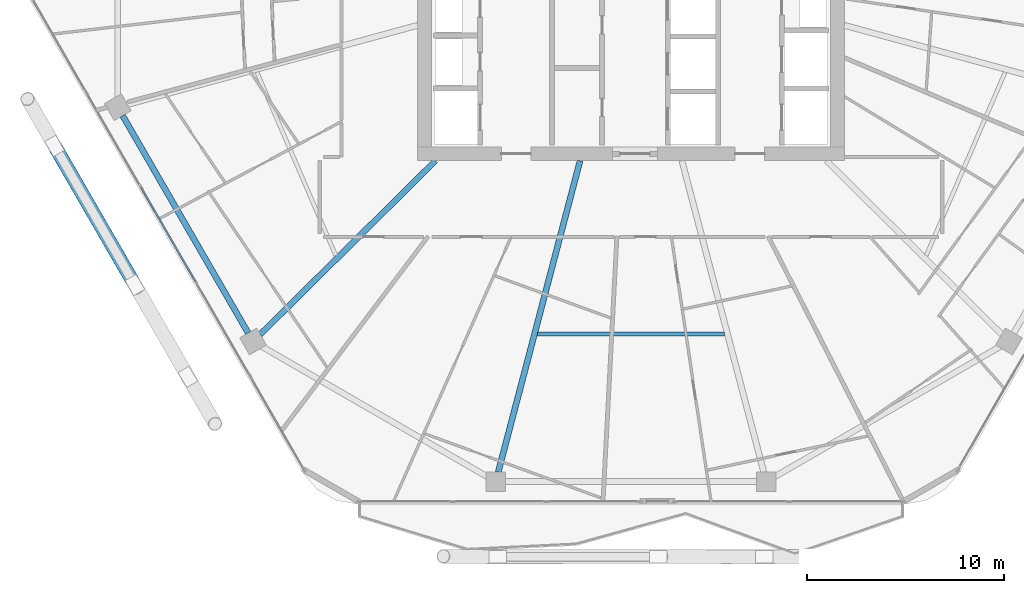
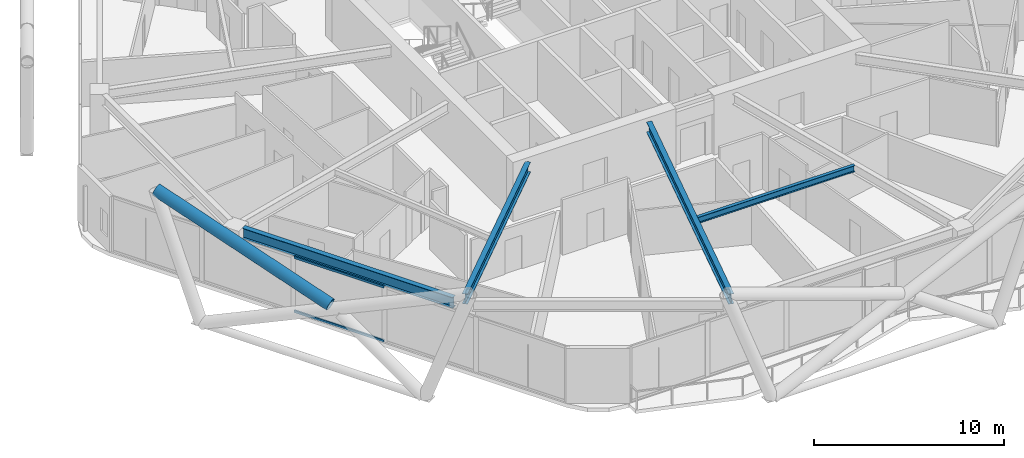
# One storey, part 5 of 29: 4 beams, 3 members, 1 element without a shape of its own.
"""IFC4 building model written with IfcOpenShell, lengths in metres."""

from ifc_helpers import new_model, si_unit, direction, frame, origin, origin_2d, place, context, subcontext, project, spatial, hollow_rectangle, hollow_circle, i_section, extrude, material, material_profile, profile_set, type_object, element, aggregate, save


model = new_model("IFC4")

# Units and contexts
model_context = context("Model", 3, precision=1e-05, world=origin(), true_north=direction((0.0, 1.0)))
body_context = subcontext(model_context, "Body", "Model", "MODEL_VIEW")
ifc_project = project(units=[si_unit("LENGTHUNIT", "METRE"), si_unit("AREAUNIT", "SQUARE_METRE"), si_unit("VOLUMEUNIT", "CUBIC_METRE"), si_unit("PLANEANGLEUNIT", "RADIAN"), si_unit("MASSUNIT", "GRAM", prefix="KILO")], contexts=[model_context])

# Site, building, storey
site_placement = place(None, origin())
site = spatial("IfcSite", under=ifc_project, at=site_placement, CompositionType="ELEMENT")
building_placement = place(site_placement, origin())
building = spatial("IfcBuilding", under=site, at=building_placement, Name="Zuhravey Tower", CompositionType="ELEMENT")
storey_placement = place(building_placement, frame((0.0, 0.0, 184.60009765625)))
storey = spatial("IfcBuildingStorey", under=building, at=storey_placement, Name="L46", CompositionType="ELEMENT", Elevation=184.60009765625)

# Curtain wall, members
ifc_material_1 = material(Name="Thermally broken anodised aluminium", Category="aluminium")
curtain_wall_type = type_object("IfcCurtainWallType", Name="Zone 1-2 Residential Curtain Wall CW3", PredefinedType="NOTDEFINED", material=ifc_material_1)
curtain_wall_placement = place(storey_placement, origin())
curtain_wall = element("IfcCurtainWall", 1, at=curtain_wall_placement, inside=storey, type_object=curtain_wall_type, Name="L46 CW3 CW-L46-F4-1", PredefinedType="NOTDEFINED")
ifc_material_2 = material(Name="Anodised aluminium", Category="aluminium")
ifc_material_profile_1 = material_profile(ifc_material_2, hollow_rectangle(XDim=0.090087890625, YDim=0.14990234375, WallThickness=0.0048828125, at=origin_2d()), Name="ALU-RHS-90x150x5")
ifc_profile_set_1 = profile_set([ifc_material_profile_1], Name="Anodised aluminium")
member_type_1 = type_object("IfcMemberType", Name="Curtain-Wall Transom 90x150", PredefinedType="USERDEFINED", material=ifc_profile_set_1)
member_1_placement = place(storey_placement, frame((13.822265625, 16.046630859375, 0.044921875), z_axis=(-0.499980763544, 0.866036509673, 0.0), x_axis=(-0.866036509673, -0.499980763544, 0.0)))
member_1 = element("IfcMember", 2, at=member_1_placement, type_object=member_type_1, Name="CW3 transom 3.1", ObjectType="TRANSOM", PredefinedType="USERDEFINED", context=body_context, shape_type="SweptSolid", body=[
    extrude(hollow_rectangle(XDim=0.090087890625, YDim=0.14990234375, WallThickness=0.0048828125, at=origin_2d()), origin(), (0.0, 0.0, 1.0), 5.454345703125),
])
member_2_placement = place(storey_placement, frame((13.822265625, 16.046630859375, 3.5048828125), z_axis=(-0.499980763544, 0.866036509673, 0.0), x_axis=(-0.866036509673, -0.499980763544, 0.0)))
member_2 = element("IfcMember", 3, at=member_2_placement, type_object=member_type_1, Name="CW3 transom 3.2", ObjectType="TRANSOM", PredefinedType="USERDEFINED", context=body_context, shape_type="SweptSolid", body=[
    extrude(hollow_rectangle(XDim=0.090087890625, YDim=0.14990234375, WallThickness=0.0048828125, at=origin_2d()), origin(), (0.0, 0.0, 1.0), 5.454345703125),
])
aggregate(curtain_wall, [member_1, member_2])

# Member
ifc_material_3 = material(Name="Steel SM460", Category="steel")
ifc_material_profile_2 = material_profile(ifc_material_3, hollow_circle(Radius=0.355712890625, WallThickness=0.031982421875, at=origin_2d()), Name="CHS-711.2x32")
ifc_profile_set_2 = profile_set([ifc_material_profile_2], Name="Steel SM460")
member_type_2 = type_object("IfcMemberType", Name="Exoskeleton Zone 2 Diagrid CHS711x32", PredefinedType="BRACE", material=ifc_profile_set_2)
member_3_placement = place(storey_placement, frame((10.598876953125, 16.10986328125, 3.44921875), z_axis=(-0.472328200199, 0.818092776704, 0.328070541198), x_axis=(-0.866024434144, -0.500001679462, 0.0)))
element("IfcMember", 4, at=member_3_placement, inside=storey, type_object=member_type_2, Name="L46 Face 4 Split Diagrid Brace 3B", PredefinedType="BRACE", context=body_context, shape_type="SweptSolid", body=[
    extrude(hollow_circle(Radius=0.355712890625, WallThickness=0.031982421875, at=origin_2d()), origin(), (0.0, 0.0, 1.0), 11.190185546875),
])

# Beams
ifc_material_4 = material(Name="Steel SM355", Category="steel")
ifc_material_profile_3 = material_profile(ifc_material_4, i_section(OverallWidth=0.300048828125, OverallDepth=0.679931640625, WebThickness=0.012939453125, FlangeThickness=0.02197265625, at=origin_2d()), Name="H-680x300x13x22")
ifc_profile_set_3 = profile_set([ifc_material_profile_3], Name="Steel SM355")
beam_type_1 = type_object("IfcBeamType", Name="Perimeter Ring Beam H680x300", PredefinedType="BEAM", material=ifc_profile_set_3)
beam_1_placement = place(storey_placement, frame((10.143798828125, 24.43798828125, 3.2099609375), z_axis=(0.499997974489, -0.866026573211, 0.0), x_axis=(0.866026573211, 0.499997974489, 0.0)))
element("IfcBeam", 5, at=beam_1_placement, inside=storey, type_object=beam_type_1, Name="L46 PB2 BM-L46-PB-07", PredefinedType="BEAM", context=body_context, shape_type="SweptSolid", body=[
    extrude(i_section(OverallWidth=0.300048828125, OverallDepth=0.679931640625, WebThickness=0.012939453125, FlangeThickness=0.02197265625, at=origin_2d()), origin(), (0.0, 0.0, 1.0), 12.75830078125),
])
ifc_material_profile_4 = material_profile(ifc_material_4, i_section(OverallWidth=0.300048828125, OverallDepth=0.64990234375, WebThickness=0.012939453125, FlangeThickness=0.02197265625, at=origin_2d()), Name="H-650x300x13x22")
ifc_profile_set_4 = profile_set([ifc_material_profile_4], Name="Steel SM355")
beam_type_2 = type_object("IfcBeamType", Name="Radial Primary Girder H650x300", PredefinedType="BEAM", material=ifc_profile_set_4)
beam_2_placement = place(storey_placement, frame((26.054443359375, 22.14697265625, 3.224853515625), z_axis=(-0.71040353357, -0.703794586148, 0.0), x_axis=(0.703794586148, -0.71040353357, 0.0)))
element("IfcBeam", 6, at=beam_2_placement, inside=storey, type_object=beam_type_2, Name="L46 RG2 BM-L46-RAD-08", PredefinedType="BEAM", context=body_context, shape_type="SweptSolid", body=[
    extrude(i_section(OverallWidth=0.300048828125, OverallDepth=0.64990234375, WebThickness=0.012939453125, FlangeThickness=0.02197265625, at=origin_2d()), origin(), (0.0, 0.0, 1.0), 12.559814453125),
])
beam_3_placement = place(storey_placement, frame((33.4091796875, 22.14697265625, 3.224853515625), z_axis=(-0.254300244998, -0.967125320418, 0.0), x_axis=(0.967125320418, -0.254300244998, 0.0)))
element("IfcBeam", 7, at=beam_3_placement, inside=storey, type_object=beam_type_2, Name="L46 RG2 BM-L46-RAD-09", PredefinedType="BEAM", context=body_context, shape_type="SweptSolid", body=[
    extrude(i_section(OverallWidth=0.300048828125, OverallDepth=0.64990234375, WebThickness=0.012939453125, FlangeThickness=0.02197265625, at=origin_2d()), origin(), (0.0, 0.0, 1.0), 16.371826171875),
])
ifc_material_profile_5 = material_profile(ifc_material_4, i_section(OverallWidth=0.199951171875, OverallDepth=0.39990234375, WebThickness=0.008056640625, FlangeThickness=0.012939453125, at=origin_2d()), Name="H-400x200x8x13")
ifc_profile_set_5 = profile_set([ifc_material_profile_5], Name="Steel SM355")
beam_type_3 = type_object("IfcBeamType", Name="Secondary Floor Joist H400x200", PredefinedType="JOIST", material=ifc_profile_set_5)
beam_4_placement = place(storey_placement, frame((31.245849609375, 13.334228515625, 3.349853515625), z_axis=(1.0, 0.0, 0.0), x_axis=(0.0, 1.0, 0.0)))
element("IfcBeam", 8, at=beam_4_placement, inside=storey, type_object=beam_type_3, Name="L46 SJ2 BM-L46-SJ-09-1", PredefinedType="JOIST", context=body_context, shape_type="SweptSolid", body=[
    extrude(i_section(OverallWidth=0.199951171875, OverallDepth=0.39990234375, WebThickness=0.008056640625, FlangeThickness=0.012939453125, at=origin_2d()), origin(), (0.0, 0.0, 1.0), 9.50830078125),
])

save(model, "model.ifc")
